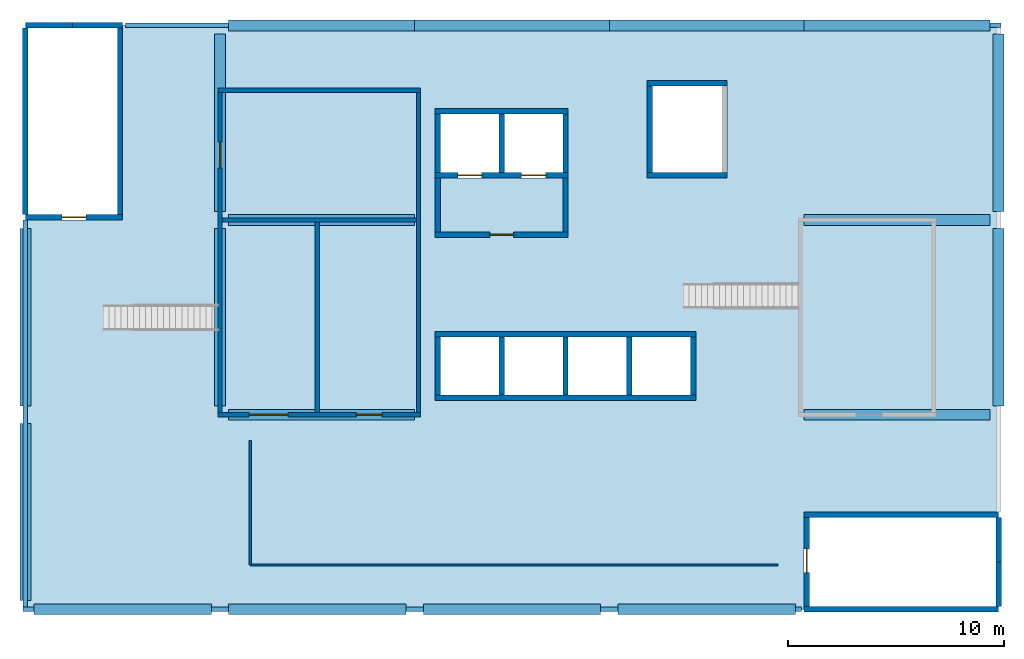
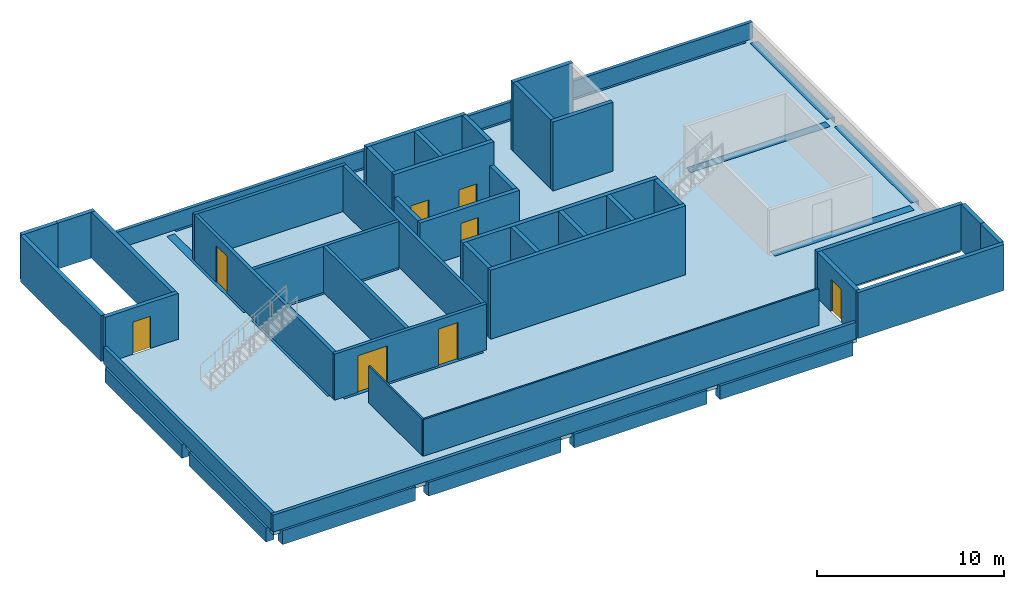
# One storey, part 1 of 3: 39 walls, 18 beams, 8 doors, 1 slab, 8 openings.
"""IFC4 building model written with IfcOpenShell, lengths in metres."""

from ifc_helpers import new_model, si_unit, direction, frame, frame_2d, origin, origin_2d, place, context, subcontext, project, spatial, polyline, rectangle, outline, extrude, material, layer, layer_set, material_profile, profile_set, type_object, element, fill, save


model = new_model("IFC4")

# Units and contexts
model_context = context("Model", 3, precision=1e-05, world=origin(), true_north=direction((0.0, 1.0)))
body_context = subcontext(model_context, "Body", "Model", "MODEL_VIEW")
ifc_project = project(units=[si_unit("LENGTHUNIT", "METRE"), si_unit("AREAUNIT", "SQUARE_METRE"), si_unit("VOLUMEUNIT", "CUBIC_METRE"), si_unit("PLANEANGLEUNIT", "RADIAN"), si_unit("MASSUNIT", "GRAM", prefix="KILO")], contexts=[model_context])

# Site, building, storey
site_placement = place(None, origin())
site = spatial("IfcSite", under=ifc_project, at=site_placement, CompositionType="ELEMENT")
building_placement = place(site_placement, origin())
building = spatial("IfcBuilding", under=site, at=building_placement, Name="Guidao Yard Department Store", CompositionType="ELEMENT")
storey_placement = place(building_placement, frame((0.0, 0.0, 37.5)))
storey = spatial("IfcBuildingStorey", under=building, at=storey_placement, Name="RF", CompositionType="ELEMENT", Elevation=37.5)

# Beams
ifc_material_1 = material(Name="Concrete C40", Category="concrete")
ifc_material_profile_1 = material_profile(ifc_material_1, rectangle(XDim=0.5, YDim=0.89990234375, at=origin_2d()), Name="Edge beam 500 x 900 C40")
ifc_profile_set_1 = profile_set([ifc_material_profile_1], Name="Concrete C40")
beam_type_1 = type_object("IfcBeamType", Name="Edge beam 500 x 900 C40", PredefinedType="BEAM", material=ifc_profile_set_1)
for number, where, z_axis, x_axis, name in (
    (1, (135.0, 9.39990234375, -0.449951171875), (0.0, 1.0, 0.0), (-1.0, 0.0, 0.0), "Beam FB13"),
    (2, (135.0, 18.39990234375, -0.449951171875), (0.0, 1.0, 0.0), (-1.0, 0.0, 0.0), "Beam FB14"),
):
    element("IfcBeam", number, at=place(storey_placement, frame(where, z_axis=z_axis, x_axis=x_axis)), inside=storey, type_object=beam_type_1, Name=name, PredefinedType="BEAM", context=body_context, shape_type="SweptSolid", body=[
        extrude(rectangle(XDim=0.5, YDim=0.89990234375, at=origin_2d()), origin(), (0.0, 0.0, 1.0), 8.2001953125),
    ])
for number, where, z_axis, x_axis, name in (
    (3, (135.39990234375, 9.0, -0.449951171875), (1.0, 0.0, 0.0), (0.0, 1.0, 0.0), "Beam FB15"),
    (4, (162.0, 9.0, -0.449951171875), (1.0, 0.0, 0.0), (0.0, 1.0, 0.0), "Beam FB16"),
    (5, (135.39990234375, 18.0, -0.449951171875), (1.0, 0.0, 0.0), (0.0, 1.0, 0.0), "Beam FB17"),
    (6, (162.0, 18.0, -0.449951171875), (1.0, 0.0, 0.0), (0.0, 1.0, 0.0), "Beam FB18"),
):
    element("IfcBeam", number, at=place(storey_placement, frame(where, z_axis=z_axis, x_axis=x_axis)), inside=storey, type_object=beam_type_1, Name=name, PredefinedType="BEAM", context=body_context, shape_type="SweptSolid", body=[
        extrude(rectangle(XDim=0.5, YDim=0.89990234375, at=origin_2d()), origin(), (0.0, 0.0, 1.0), 8.60009765625),
    ])
ifc_material_2 = material(Name="Concrete C40", Category="concrete")
ifc_material_profile_2 = material_profile(ifc_material_2, rectangle(XDim=0.5, YDim=0.89990234375, at=origin_2d()), Name="Spandrel beam 500 x 900 C40")
ifc_profile_set_2 = profile_set([ifc_material_profile_2], Name="Concrete C40")
beam_type_2 = type_object("IfcBeamType", Name="Spandrel beam 500 x 900 C40", PredefinedType="SPANDREL", material=ifc_profile_set_2)
for number, where, z_axis, x_axis, name in (
    (7, (126.39990234375, 0.0, -0.449951171875), (1.0, 0.0, 0.0), (0.0, 1.0, 0.0), "Beam FB01"),
    (8, (135.39990234375, 0.0, -0.449951171875), (1.0, 0.0, 0.0), (0.0, 1.0, 0.0), "Beam FB02"),
    (9, (144.39990234375, 0.0, -0.449951171875), (1.0, 0.0, 0.0), (0.0, 1.0, 0.0), "Beam FB03"),
    (10, (153.39990234375, 0.0, -0.449951171875), (1.0, 0.0, 0.0), (0.0, 1.0, 0.0), "Beam FB04"),
    (11, (126.0, 0.39990234375, -0.449951171875), (0.0, 1.0, 0.0), (-1.0, 0.0, 0.0), "Beam FB05"),
    (12, (126.0, 9.39990234375, -0.449951171875), (0.0, 1.0, 0.0), (-1.0, 0.0, 0.0), "Beam FB06"),
):
    element("IfcBeam", number, at=place(storey_placement, frame(where, z_axis=z_axis, x_axis=x_axis)), inside=storey, type_object=beam_type_2, Name=name, PredefinedType="SPANDREL", context=body_context, shape_type="SweptSolid", body=[
        extrude(rectangle(XDim=0.5, YDim=0.89990234375, at=origin_2d()), origin(), (0.0, 0.0, 1.0), 8.2001953125),
    ])
beam_1_placement = place(storey_placement, frame((135.39990234375, 27.0, -0.449951171875), z_axis=(1.0, 0.0, 0.0), x_axis=(0.0, 1.0, 0.0)))
element("IfcBeam", 13, at=beam_1_placement, inside=storey, type_object=beam_type_2, Name="Beam FB07", PredefinedType="SPANDREL", context=body_context, shape_type="SweptSolid", body=[
    extrude(rectangle(XDim=0.5, YDim=0.89990234375, at=origin_2d()), origin(), (0.0, 0.0, 1.0), 8.60009765625),
])
for number, where, z_axis, x_axis, name in (
    (14, (144.0, 27.0, -0.449951171875), (1.0, 0.0, 0.0), (0.0, 1.0, 0.0), "Beam FB08"),
    (15, (153.0, 27.0, -0.449951171875), (1.0, 0.0, 0.0), (0.0, 1.0, 0.0), "Beam FB09"),
):
    element("IfcBeam", number, at=place(storey_placement, frame(where, z_axis=z_axis, x_axis=x_axis)), inside=storey, type_object=beam_type_2, Name=name, PredefinedType="SPANDREL", context=body_context, shape_type="SweptSolid", body=[
        extrude(rectangle(XDim=0.5, YDim=0.89990234375, at=origin_2d()), origin(), (0.0, 0.0, 1.0), 9.0),
    ])
beam_2_placement = place(storey_placement, frame((162.0, 27.0, -0.449951171875), z_axis=(1.0, 0.0, 0.0), x_axis=(0.0, 1.0, 0.0)))
element("IfcBeam", 16, at=beam_2_placement, inside=storey, type_object=beam_type_2, Name="Beam FB10", PredefinedType="SPANDREL", context=body_context, shape_type="SweptSolid", body=[
    extrude(rectangle(XDim=0.5, YDim=0.89990234375, at=origin_2d()), origin(), (0.0, 0.0, 1.0), 8.60009765625),
])
for number, where, z_axis, x_axis, name in (
    (17, (171.0, 9.39990234375, -0.449951171875), (0.0, 1.0, 0.0), (-1.0, 0.0, 0.0), "Beam FB11"),
    (18, (171.0, 18.39990234375, -0.449951171875), (0.0, 1.0, 0.0), (-1.0, 0.0, 0.0), "Beam FB12"),
):
    element("IfcBeam", number, at=place(storey_placement, frame(where, z_axis=z_axis, x_axis=x_axis)), inside=storey, type_object=beam_type_2, Name=name, PredefinedType="SPANDREL", context=body_context, shape_type="SweptSolid", body=[
        extrude(rectangle(XDim=0.5, YDim=0.89990234375, at=origin_2d()), origin(), (0.0, 0.0, 1.0), 8.2001953125),
    ])

# Slab
ifc_material_3 = material(Name="Concrete C35", Category="concrete")
ifc_layer_1 = layer(ifc_material_3, 0.300048828125)
ifc_layer_set_1 = layer_set([ifc_layer_1], Name="Roof slab 300 C35")
slab_type = type_object("IfcSlabType", Name="Roof slab 300 C35", PredefinedType="ROOF", material=ifc_layer_set_1)
slab_placement = place(storey_placement, frame((0.0, 0.0, -0.300048828125)))
element("IfcSlab", 19, at=slab_placement, inside=storey, type_object=slab_type, Name="Slab ROOF-O", PredefinedType="ROOF", context=body_context, shape_type="SweptSolid", body=[
    extrude(outline(polyline([(162.0, 0.0), (126.0, 0.0), (126.0, 18.0), (130.5, 18.0), (130.5, 27.0), (171.0, 27.0), (171.0, 4.5), (162.0, 4.5), (162.0, 0.0)]), holes=[polyline([(153.800048828125, 9.64990234375), (154.050048828125, 9.64990234375), (157.0, 9.64990234375), (157.0, 12.85009765625), (154.050048828125, 12.85009765625), (153.800048828125, 12.85009765625), (151.10009765625, 12.85009765625), (150.85009765625, 12.85009765625), (148.14990234375, 12.85009765625), (147.89990234375, 12.85009765625), (144.949951171875, 12.85009765625), (144.949951171875, 9.64990234375), (147.89990234375, 9.64990234375), (148.14990234375, 9.64990234375), (150.85009765625, 9.64990234375), (151.10009765625, 9.64990234375), (153.800048828125, 9.64990234375)]), polyline([(144.949951171875, 19.949951171875), (147.89990234375, 19.949951171875), (148.14990234375, 19.949951171875), (151.10009765625, 19.949951171875), (151.10009765625, 23.14990234375), (148.14990234375, 23.14990234375), (147.89990234375, 23.14990234375), (144.949951171875, 23.14990234375), (144.949951171875, 19.949951171875)]), polyline([(154.75, 24.449951171875), (154.75, 19.949951171875), (158.449951171875, 19.949951171875), (158.449951171875, 24.449951171875), (154.75, 24.449951171875)])]), origin(), (0.0, 0.0, 1.0), 0.300048828125),
])

# Walls
ifc_material_4 = material(Name="Concrete C30", Category="concrete")
ifc_layer_2 = layer(ifc_material_4, 0.199951171875)
ifc_layer_set_2 = layer_set([ifc_layer_2], Name="Parapet wall 200 C30")
wall_type_1 = type_object("IfcWallType", Name="Parapet wall 200 C30", PredefinedType="PARAPET", material=ifc_layer_set_2)
wall_1_placement = place(storey_placement, frame((125.89990234375, 0.0, 0.0), z_axis=(0.0, 0.0, 1.0), x_axis=(1.0, 0.0, 0.0)))
element("IfcWall", 20, at=wall_1_placement, inside=storey, type_object=wall_type_1, Name="Parapet", PredefinedType="PARAPET", context=body_context, shape_type="SweptSolid", body=[
    extrude(rectangle(XDim=35.97509765625, YDim=0.199951171875, at=frame_2d((17.987548828125, 0.0))), origin(), (0.0, 0.0, 1.0), 1.10009765625),
])
wall_2_placement = place(storey_placement, frame((126.0, 0.10009765625, 0.0), z_axis=(0.0, 0.0, 1.0), x_axis=(0.0, 1.0, 0.0)))
element("IfcWall", 21, at=wall_2_placement, inside=storey, type_object=wall_type_1, Name="Parapet", PredefinedType="PARAPET", context=body_context, shape_type="SweptSolid", body=[
    extrude(rectangle(XDim=17.89990234375, YDim=0.199951171875, at=frame_2d((8.949951171875, 0.0))), origin(), (0.0, 0.0, 1.0), 1.10009765625),
])
wall_3_placement = place(storey_placement, frame((130.625, 27.0, 0.0), z_axis=(0.0, 0.0, 1.0), x_axis=(1.0, 0.0, 0.0)))
element("IfcWall", 22, at=wall_3_placement, inside=storey, type_object=wall_type_1, Name="Parapet", PredefinedType="PARAPET", context=body_context, shape_type="SweptSolid", body=[
    extrude(rectangle(XDim=40.47509765625, YDim=0.199951171875, at=frame_2d((20.237548828125, 0.0))), origin(), (0.0, 0.0, 1.0), 1.10009765625),
])
ifc_material_5 = material(Name="Galvanised steel Q355 perforated plate", Category="steel")
ifc_layer_3 = layer(ifc_material_5, 0.10009765625)
ifc_layer_set_3 = layer_set([ifc_layer_3], Name="Plant screen wall PS2 galvanised perforated steel Q355 100")
wall_type_2 = type_object("IfcWallType", Name="Plant screen wall PS2 galvanised perforated steel Q355 100", PredefinedType="STANDARD", material=ifc_layer_set_3)
wall_4_placement = place(storey_placement, frame((136.39990234375, 2.050048828125, 0.0), z_axis=(0.0, 0.0, 1.0), x_axis=(1.0, 0.0, 0.0)))
element("IfcWall", 23, at=wall_4_placement, inside=storey, type_object=wall_type_2, Name="Plant screen", PredefinedType="STANDARD", context=body_context, shape_type="SweptSolid", body=[
    extrude(rectangle(XDim=24.400146484375, YDim=0.10009765625, at=frame_2d((12.2001953125, 0.0))), origin(), (0.0, 0.0, 1.0), 2.39990234375),
])
wall_5_placement = place(storey_placement, frame((136.39990234375, 2.050048828125, 0.0), z_axis=(0.0, 0.0, 1.0), x_axis=(0.0, 1.0, 0.0)))
element("IfcWall", 24, at=wall_5_placement, inside=storey, type_object=wall_type_2, Name="Plant screen", PredefinedType="STANDARD", context=body_context, shape_type="SweptSolid", body=[
    extrude(rectangle(XDim=5.75, YDim=0.10009765625, at=frame_2d((2.875, 0.0))), origin(), (0.0, 0.0, 1.0), 2.39990234375),
])

# Wall, openings, doors
ifc_material_6 = material(Name="Concrete C35", Category="concrete")
ifc_layer_4 = layer(ifc_material_6, 0.199951171875)
ifc_layer_set_4 = layer_set([ifc_layer_4], Name="Roof room wall 200 RC C35")
wall_type_3 = type_object("IfcWallType", Name="Roof room wall 200 RC C35", PredefinedType="SOLIDWALL", material=ifc_layer_set_4)
wall_6_placement = place(storey_placement, frame((134.89990234375, 9.0, 0.0), z_axis=(0.0, 0.0, 1.0), x_axis=(1.0, 0.0, 0.0)))
wall_6 = element("IfcWall", 25, at=wall_6_placement, inside=storey, type_object=wall_type_3, Name="pt.wall.RF.0001", PredefinedType="SOLIDWALL", context=body_context, shape_type="SweptSolid", body=[
    extrude(rectangle(XDim=9.375, YDim=0.199951171875, at=frame_2d((4.6875, 0.0))), origin(), (0.0, 0.0, 1.0), 3.0),
])
opening_1_placement = place(wall_6_placement, frame((3.25, 0.0, 0.0), z_axis=(0.0, 0.0, 1.0), x_axis=(-1.0, 0.0, 0.0)))
opening_1 = element("IfcOpeningElement", 26, at=opening_1_placement, cuts=wall_6, Name="Opening RF-400", PredefinedType="OPENING", context=body_context, shape_type="SweptSolid", body=[
    extrude(rectangle(XDim=1.800048828125, YDim=2.39990234375, at=frame_2d((0.89990234375, 1.199951171875))), frame((0.0, 0.10986328125, 0.0), z_axis=(0.0, -1.0, 0.0), x_axis=(1.0, 0.0, 0.0)), (0.0, 0.0, 1.0), 0.219970703125),
])
opening_2_placement = place(wall_6_placement, frame((7.599853515625, 0.0, 0.0), z_axis=(0.0, 0.0, 1.0), x_axis=(-1.0, 0.0, 0.0)))
opening_2 = element("IfcOpeningElement", 27, at=opening_2_placement, cuts=wall_6, Name="Opening RF-401", PredefinedType="OPENING", context=body_context, shape_type="SweptSolid", body=[
    extrude(rectangle(XDim=1.199951171875, YDim=2.39990234375, at=frame_2d((0.60009765625, 1.199951171875))), frame((0.0, 0.10986328125, 0.0), z_axis=(0.0, -1.0, 0.0), x_axis=(1.0, 0.0, 0.0)), (0.0, 0.0, 1.0), 0.219970703125),
])
ifc_material_7 = material(Name="Timber door leaf with Steel Q235 frame", Category="steel")
door_type_1 = type_object("IfcDoorType", Name="Door 1200 x 2400 FD60 Single Leaf", OperationType="SINGLE_SWING_LEFT", PredefinedType="DOOR", material=ifc_material_7)
door_1_placement = place(opening_2_placement, origin())
door_1 = element("IfcDoor", 28, at=door_1_placement, inside=storey, type_object=door_type_1, Name="Door RF-401", OperationType="SINGLE_SWING_LEFT", OverallHeight=2.39990234375, OverallWidth=1.199951171875, PredefinedType="DOOR", context=body_context, shape_type="SweptSolid", body=[
    extrude(rectangle(XDim=1.199951171875, YDim=2.39990234375, at=frame_2d((0.60009765625, 1.199951171875))), frame((0.0, 0.02490234375, 0.0), z_axis=(0.0, -1.0, 0.0), x_axis=(1.0, 0.0, 0.0)), (0.0, 0.0, 1.0), 0.050048828125),
])
fill(opening_2, door_1)
ifc_material_8 = material(Name="Timber door leaf with Steel Q235 frame", Category="steel")
door_type_2 = type_object("IfcDoorType", Name="Door 1800 x 2400 FD60 Double Leaf", OperationType="DOUBLE_DOOR_SINGLE_SWING", PredefinedType="DOOR", material=ifc_material_8)
door_2_placement = place(opening_1_placement, origin())
door_2 = element("IfcDoor", 29, at=door_2_placement, inside=storey, type_object=door_type_2, Name="Door RF-400", OperationType="DOUBLE_DOOR_SINGLE_SWING", OverallHeight=2.39990234375, OverallWidth=1.800048828125, PredefinedType="DOOR", context=body_context, shape_type="SweptSolid", body=[
    extrude(rectangle(XDim=1.800048828125, YDim=2.39990234375, at=frame_2d((0.89990234375, 1.199951171875))), frame((0.0, 0.02490234375, 0.0), z_axis=(0.0, -1.0, 0.0), x_axis=(1.0, 0.0, 0.0)), (0.0, 0.0, 1.0), 0.050048828125),
])
fill(opening_1, door_2)

# Walls
wall_7_placement = place(storey_placement, frame((135.10009765625, 18.0, 0.0), z_axis=(0.0, 0.0, 1.0), x_axis=(1.0, 0.0, 0.0)))
element("IfcWall", 30, at=wall_7_placement, inside=storey, type_object=wall_type_3, Name="pt.wall.RF.0003", PredefinedType="SOLIDWALL", context=body_context, shape_type="SweptSolid", body=[
    extrude(rectangle(XDim=8.974853515625, YDim=0.199951171875, at=frame_2d((4.4873046875, 0.0))), origin(), (0.0, 0.0, 1.0), 3.0),
])
wall_8_placement = place(storey_placement, frame((134.89990234375, 24.0, 0.0), z_axis=(0.0, 0.0, 1.0), x_axis=(1.0, 0.0, 0.0)))
element("IfcWall", 31, at=wall_8_placement, inside=storey, type_object=wall_type_3, Name="pt.wall.RF.0005", PredefinedType="SOLIDWALL", context=body_context, shape_type="SweptSolid", body=[
    extrude(rectangle(XDim=9.375, YDim=0.199951171875, at=frame_2d((4.6875, 0.0))), origin(), (0.0, 0.0, 1.0), 3.0),
])

# Wall, opening, door
wall_9_placement = place(storey_placement, frame((135.0, 9.10009765625, 0.0), z_axis=(0.0, 0.0, 1.0), x_axis=(0.0, 1.0, 0.0)))
wall_9 = element("IfcWall", 32, at=wall_9_placement, inside=storey, type_object=wall_type_3, Name="pt.wall.RF.0006", PredefinedType="SOLIDWALL", context=body_context, shape_type="SweptSolid", body=[
    extrude(rectangle(XDim=14.7998046875, YDim=0.199951171875, at=frame_2d((7.39990234375, 0.0))), origin(), (0.0, 0.0, 1.0), 3.0),
])
opening_3_placement = place(wall_9_placement, frame((11.300048828125, 0.0, 0.0)))
opening_3 = element("IfcOpeningElement", 33, at=opening_3_placement, cuts=wall_9, Name="Opening RF-402", PredefinedType="OPENING", context=body_context, shape_type="SweptSolid", body=[
    extrude(rectangle(XDim=1.199951171875, YDim=2.39990234375, at=frame_2d((0.60009765625, 1.199951171875))), frame((0.0, 0.10986328125, 0.0), z_axis=(0.0, -1.0, 0.0), x_axis=(1.0, 0.0, 0.0)), (0.0, 0.0, 1.0), 0.219970703125),
])
door_3_placement = place(opening_3_placement, origin())
door_3 = element("IfcDoor", 34, at=door_3_placement, inside=storey, type_object=door_type_1, Name="Door RF-402", OperationType="SINGLE_SWING_RIGHT", OverallHeight=2.39990234375, OverallWidth=1.199951171875, PredefinedType="DOOR", context=body_context, shape_type="SweptSolid", body=[
    extrude(rectangle(XDim=1.199951171875, YDim=2.39990234375, at=frame_2d((0.60009765625, 1.199951171875))), frame((0.0, 0.02490234375, 0.0), z_axis=(0.0, -1.0, 0.0), x_axis=(1.0, 0.0, 0.0)), (0.0, 0.0, 1.0), 0.050048828125),
])
fill(opening_3, door_3)

# Walls
wall_10_placement = place(storey_placement, frame((139.5, 9.10009765625, 0.0), z_axis=(0.0, 0.0, 1.0), x_axis=(0.0, 1.0, 0.0)))
element("IfcWall", 35, at=wall_10_placement, inside=storey, type_object=wall_type_3, Name="pt.wall.RF.0007", PredefinedType="SOLIDWALL", context=body_context, shape_type="SweptSolid", body=[
    extrude(rectangle(XDim=8.7998046875, YDim=0.199951171875, at=frame_2d((4.39990234375, 0.0))), origin(), (0.0, 0.0, 1.0), 3.0),
])
wall_11_placement = place(storey_placement, frame((144.175048828125, 9.10009765625, 0.0), z_axis=(0.0, 0.0, 1.0), x_axis=(0.0, 1.0, 0.0)))
element("IfcWall", 36, at=wall_11_placement, inside=storey, type_object=wall_type_3, Name="pt.wall.RF.0008", PredefinedType="SOLIDWALL", context=body_context, shape_type="SweptSolid", body=[
    extrude(rectangle(XDim=14.7998046875, YDim=0.199951171875, at=frame_2d((7.39990234375, 0.0))), origin(), (0.0, 0.0, 1.0), 3.0),
])
ifc_material_9 = material(Name="Concrete C40", Category="concrete")
ifc_layer_5 = layer(ifc_material_9, 0.25)
ifc_layer_set_5 = layer_set([ifc_layer_5], Name="Wall RC 250 C40 stair and shaft")
wall_type_4 = type_object("IfcWallType", Name="Wall RC 250 C40 stair and shaft", PredefinedType="SHEAR", material=ifc_layer_set_5)
for number, where, z_axis, x_axis, name in (
    (37, (162.0, 0.0, 0.0), (0.0, 0.0, 1.0), (1.0, 0.0, 0.0), "Stair wall SO2"),
    (38, (162.0, 4.375, 0.0), (0.0, 0.0, 1.0), (1.0, 0.0, 0.0), "Stair wall SO2"),
):
    element("IfcWall", number, at=place(storey_placement, frame(where, z_axis=z_axis, x_axis=x_axis)), inside=storey, type_object=wall_type_4, Name=name, PredefinedType="SHEAR", context=body_context, shape_type="SweptSolid", body=[
        extrude(rectangle(XDim=9.0, YDim=0.25, at=frame_2d((4.5, 0.0))), origin(), (0.0, 0.0, 1.0), 3.0),
    ])

# Wall, opening, door
wall_12_placement = place(storey_placement, frame((162.125, 0.125, 0.0), z_axis=(0.0, 0.0, 1.0), x_axis=(0.0, 1.0, 0.0)))
wall_12 = element("IfcWall", 39, at=wall_12_placement, inside=storey, type_object=wall_type_4, Name="Stair wall SO2", PredefinedType="SHEAR", context=body_context, shape_type="SweptSolid", body=[
    extrude(rectangle(XDim=4.125, YDim=0.25, at=frame_2d((2.0625, 0.0))), origin(), (0.0, 0.0, 1.0), 3.0),
])
opening_4_placement = place(wall_12_placement, frame((1.574951171875, 0.0, 0.0)))
opening_4 = element("IfcOpeningElement", 40, at=opening_4_placement, cuts=wall_12, Name="Opening RF-800", PredefinedType="OPENING", context=body_context, shape_type="SweptSolid", body=[
    extrude(rectangle(XDim=1.10009765625, YDim=2.10009765625, at=frame_2d((0.550048828125, 1.050048828125))), frame((0.0, 0.135009765625, 0.0), z_axis=(0.0, -1.0, 0.0), x_axis=(1.0, 0.0, 0.0)), (0.0, 0.0, 1.0), 0.27001953125),
])
ifc_material_10 = material(Name="Steel Q235", Category="steel")
door_type_3 = type_object("IfcDoorType", Name="Door fire-resisting 1100 x 2100 FD60", OperationType="SINGLE_SWING_LEFT", PredefinedType="DOOR", material=ifc_material_10)
door_4_placement = place(opening_4_placement, origin())
door_4 = element("IfcDoor", 41, at=door_4_placement, inside=storey, type_object=door_type_3, Name="Stair O2 door RF", OperationType="SINGLE_SWING_RIGHT", OverallHeight=2.10009765625, OverallWidth=1.10009765625, PredefinedType="DOOR", context=body_context, shape_type="SweptSolid", body=[
    extrude(rectangle(XDim=1.10009765625, YDim=2.10009765625, at=frame_2d((0.550048828125, 1.050048828125))), frame((0.0, 0.02490234375, 0.0), z_axis=(0.0, -1.0, 0.0), x_axis=(1.0, 0.0, 0.0)), (0.0, 0.0, 1.0), 0.050048828125),
])
fill(opening_4, door_4)

# Walls
wall_13_placement = place(storey_placement, frame((171.0, 0.125, 0.0), z_axis=(0.0, 0.0, 1.0), x_axis=(0.0, 1.0, 0.0)))
element("IfcWall", 42, at=wall_13_placement, inside=storey, type_object=wall_type_4, Name="Stair wall SO2", PredefinedType="SHEAR", context=body_context, shape_type="SweptSolid", body=[
    extrude(rectangle(XDim=2.06298828125, YDim=0.25, at=frame_2d((1.031494140625, 0.0))), origin(), (0.0, 0.0, 1.0), 3.0),
])
wall_14_placement = place(storey_placement, frame((171.0, 2.18798828125, 0.0), z_axis=(0.0, 0.0, 1.0), x_axis=(0.0, 1.0, 0.0)))
element("IfcWall", 43, at=wall_14_placement, inside=storey, type_object=wall_type_4, Name="Stair wall SO2", PredefinedType="SHEAR", context=body_context, shape_type="SweptSolid", body=[
    extrude(rectangle(XDim=2.06201171875, YDim=0.25, at=frame_2d((1.031005859375, 0.0))), origin(), (0.0, 0.0, 1.0), 3.0),
])

# Wall, opening, door
wall_15_placement = place(storey_placement, frame((126.0, 18.125, 0.0), z_axis=(0.0, 0.0, 1.0), x_axis=(1.0, 0.0, 0.0)))
wall_15 = element("IfcWall", 44, at=wall_15_placement, inside=storey, type_object=wall_type_4, Name="Stair wall SO3", PredefinedType="SHEAR", context=body_context, shape_type="SweptSolid", body=[
    extrude(rectangle(XDim=4.5, YDim=0.25, at=frame_2d((2.25, 0.0))), origin(), (0.0, 0.0, 1.0), 3.0),
])
opening_5_placement = place(wall_15_placement, frame((2.800048828125, 0.0, 0.0), z_axis=(0.0, 0.0, 1.0), x_axis=(-1.0, 0.0, 0.0)))
opening_5 = element("IfcOpeningElement", 45, at=opening_5_placement, cuts=wall_15, Name="Opening RF-801", PredefinedType="OPENING", context=body_context, shape_type="SweptSolid", body=[
    extrude(rectangle(XDim=1.10009765625, YDim=2.10009765625, at=frame_2d((0.550048828125, 1.050048828125))), frame((0.0, 0.135009765625, 0.0), z_axis=(0.0, -1.0, 0.0), x_axis=(1.0, 0.0, 0.0)), (0.0, 0.0, 1.0), 0.27001953125),
])
door_5_placement = place(opening_5_placement, origin())
door_5 = element("IfcDoor", 46, at=door_5_placement, inside=storey, type_object=door_type_3, Name="Stair O3 door RF", OperationType="SINGLE_SWING_LEFT", OverallHeight=2.10009765625, OverallWidth=1.10009765625, PredefinedType="DOOR", context=body_context, shape_type="SweptSolid", body=[
    extrude(rectangle(XDim=1.10009765625, YDim=2.10009765625, at=frame_2d((0.550048828125, 1.050048828125))), frame((0.0, 0.02490234375, 0.0), z_axis=(0.0, -1.0, 0.0), x_axis=(1.0, 0.0, 0.0)), (0.0, 0.0, 1.0), 0.050048828125),
])
fill(opening_5, door_5)

# Walls
wall_16_placement = place(storey_placement, frame((126.0, 27.0, 0.0), z_axis=(0.0, 0.0, 1.0), x_axis=(1.0, 0.0, 0.0)))
element("IfcWall", 47, at=wall_16_placement, inside=storey, type_object=wall_type_4, Name="Stair wall SO3", PredefinedType="SHEAR", context=body_context, shape_type="SweptSolid", body=[
    extrude(rectangle(XDim=2.18798828125, YDim=0.25, at=frame_2d((1.093994140625, 0.0))), origin(), (0.0, 0.0, 1.0), 3.0),
])
wall_17_placement = place(storey_placement, frame((128.18798828125, 27.0, 0.0), z_axis=(0.0, 0.0, 1.0), x_axis=(1.0, 0.0, 0.0)))
element("IfcWall", 48, at=wall_17_placement, inside=storey, type_object=wall_type_4, Name="Stair wall SO3", PredefinedType="SHEAR", context=body_context, shape_type="SweptSolid", body=[
    extrude(rectangle(XDim=2.31201171875, YDim=0.25, at=frame_2d((1.156005859375, 0.0))), origin(), (0.0, 0.0, 1.0), 3.0),
])
for number, where, z_axis, x_axis, name in (
    (49, (126.0, 18.25, 0.0), (0.0, 0.0, 1.0), (0.0, 1.0, 0.0), "Stair wall SO3"),
    (50, (130.375, 18.25, 0.0), (0.0, 0.0, 1.0), (0.0, 1.0, 0.0), "Stair wall SO3"),
):
    element("IfcWall", number, at=place(storey_placement, frame(where, z_axis=z_axis, x_axis=x_axis)), inside=storey, type_object=wall_type_4, Name=name, PredefinedType="SHEAR", context=body_context, shape_type="SweptSolid", body=[
        extrude(rectangle(XDim=8.625, YDim=0.25, at=frame_2d((4.3125, 0.0))), origin(), (0.0, 0.0, 1.0), 3.0),
    ])
for number, where, z_axis, x_axis, name in (
    (51, (144.949951171875, 12.72509765625, 0.0), (0.0, 0.0, 1.0), (1.0, 0.0, 0.0), "Lift shaft wall OL1 to OL4"),
    (52, (144.949951171875, 9.77490234375, 0.0), (0.0, 0.0, 1.0), (1.0, 0.0, 0.0), "Lift shaft wall OL1 to OL4"),
):
    element("IfcWall", number, at=place(storey_placement, frame(where, z_axis=z_axis, x_axis=x_axis)), inside=storey, type_object=wall_type_4, Name=name, PredefinedType="SHEAR", context=body_context, shape_type="SweptSolid", body=[
        extrude(rectangle(XDim=12.050048828125, YDim=0.25, at=frame_2d((6.02490234375, 0.0))), origin(), (0.0, 0.0, 1.0), 4.5),
    ])
for number, where, z_axis, x_axis, name in (
    (53, (145.074951171875, 9.89990234375, 0.0), (0.0, 0.0, 1.0), (0.0, 1.0, 0.0), "Lift shaft wall OL1 to OL4"),
    (54, (148.02490234375, 9.89990234375, 0.0), (0.0, 0.0, 1.0), (0.0, 1.0, 0.0), "Lift shaft wall OL1 to OL4"),
    (55, (150.97509765625, 9.89990234375, 0.0), (0.0, 0.0, 1.0), (0.0, 1.0, 0.0), "Lift shaft wall OL1 to OL4"),
    (56, (153.925048828125, 9.89990234375, 0.0), (0.0, 0.0, 1.0), (0.0, 1.0, 0.0), "Lift shaft wall OL1 to OL4"),
    (57, (156.875, 9.89990234375, 0.0), (0.0, 0.0, 1.0), (0.0, 1.0, 0.0), "Lift shaft wall OL1 to OL4"),
):
    element("IfcWall", number, at=place(storey_placement, frame(where, z_axis=z_axis, x_axis=x_axis)), inside=storey, type_object=wall_type_4, Name=name, PredefinedType="SHEAR", context=body_context, shape_type="SweptSolid", body=[
        extrude(rectangle(XDim=2.7001953125, YDim=0.25, at=frame_2d((1.35009765625, 0.0))), origin(), (0.0, 0.0, 1.0), 4.5),
    ])

# Wall, openings, doors
wall_18_placement = place(storey_placement, frame((144.949951171875, 20.074951171875, 0.0), z_axis=(0.0, 0.0, 1.0), x_axis=(1.0, 0.0, 0.0)))
wall_18 = element("IfcWall", 58, at=wall_18_placement, inside=storey, type_object=wall_type_4, Name="Lift shaft wall OF1 to OF2", PredefinedType="SHEAR", context=body_context, shape_type="SweptSolid", body=[
    extrude(rectangle(XDim=6.150146484375, YDim=0.25, at=frame_2d((3.0751953125, 0.0))), origin(), (0.0, 0.0, 1.0), 4.5),
])
opening_6_placement = place(wall_18_placement, frame((1.050048828125, 0.0, 0.0)))
opening_6 = element("IfcOpeningElement", 59, at=opening_6_placement, cuts=wall_18, Name="Opening LD-OF1-RF", PredefinedType="OPENING", context=body_context, shape_type="SweptSolid", body=[
    extrude(rectangle(XDim=1.10009765625, YDim=2.10009765625, at=frame_2d((0.550048828125, 1.050048828125))), frame((0.0, 0.135009765625, 0.0), z_axis=(0.0, -1.0, 0.0), x_axis=(1.0, 0.0, 0.0)), (0.0, 0.0, 1.0), 0.27001953125),
])
opening_7_placement = place(wall_18_placement, frame((4.0, 0.0, 0.0)))
opening_7 = element("IfcOpeningElement", 60, at=opening_7_placement, cuts=wall_18, Name="Opening LD-OF2-RF", PredefinedType="OPENING", context=body_context, shape_type="SweptSolid", body=[
    extrude(rectangle(XDim=1.10009765625, YDim=2.10009765625, at=frame_2d((0.550048828125, 1.050048828125))), frame((0.0, 0.135009765625, 0.0), z_axis=(0.0, -1.0, 0.0), x_axis=(1.0, 0.0, 0.0)), (0.0, 0.0, 1.0), 0.27001953125),
])
ifc_material_11 = material(Name="Stainless steel 06Cr19Ni10", Category="steel")
door_type_4 = type_object("IfcDoorType", Name="Lift landing door fire-resisting sliding 1100 x 2100", OperationType="DOUBLE_DOOR_SLIDING", PredefinedType="DOOR", material=ifc_material_11)
door_6_placement = place(opening_6_placement, origin())
door_6 = element("IfcDoor", 61, at=door_6_placement, inside=storey, type_object=door_type_4, Name="Lift landing door OF1 RF", OperationType="DOUBLE_DOOR_SLIDING", OverallHeight=2.10009765625, OverallWidth=1.10009765625, PredefinedType="DOOR", context=body_context, shape_type="SweptSolid", body=[
    extrude(rectangle(XDim=1.10009765625, YDim=2.10009765625, at=frame_2d((0.550048828125, 1.050048828125))), frame((0.0, 0.02490234375, 0.0), z_axis=(0.0, -1.0, 0.0), x_axis=(1.0, 0.0, 0.0)), (0.0, 0.0, 1.0), 0.050048828125),
])
fill(opening_6, door_6)
door_7_placement = place(opening_7_placement, origin())
door_7 = element("IfcDoor", 62, at=door_7_placement, inside=storey, type_object=door_type_4, Name="Lift landing door OF2 RF", OperationType="DOUBLE_DOOR_SLIDING", OverallHeight=2.10009765625, OverallWidth=1.10009765625, PredefinedType="DOOR", context=body_context, shape_type="SweptSolid", body=[
    extrude(rectangle(XDim=1.10009765625, YDim=2.10009765625, at=frame_2d((0.550048828125, 1.050048828125))), frame((0.0, 0.02490234375, 0.0), z_axis=(0.0, -1.0, 0.0), x_axis=(1.0, 0.0, 0.0)), (0.0, 0.0, 1.0), 0.050048828125),
])
fill(opening_7, door_7)

# Walls
wall_19_placement = place(storey_placement, frame((144.949951171875, 23.02490234375, 0.0), z_axis=(0.0, 0.0, 1.0), x_axis=(1.0, 0.0, 0.0)))
element("IfcWall", 63, at=wall_19_placement, inside=storey, type_object=wall_type_4, Name="Lift shaft wall OF1 to OF2", PredefinedType="SHEAR", context=body_context, shape_type="SweptSolid", body=[
    extrude(rectangle(XDim=6.150146484375, YDim=0.25, at=frame_2d((3.0751953125, 0.0))), origin(), (0.0, 0.0, 1.0), 4.5),
])
for number, where, z_axis, x_axis, name in (
    (64, (145.074951171875, 20.199951171875, 0.0), (0.0, 0.0, 1.0), (0.0, 1.0, 0.0), "Lift shaft wall OF1 to OF2"),
    (65, (148.02490234375, 20.199951171875, 0.0), (0.0, 0.0, 1.0), (0.0, 1.0, 0.0), "Lift shaft wall OF1 to OF2"),
    (66, (150.97509765625, 20.199951171875, 0.0), (0.0, 0.0, 1.0), (0.0, 1.0, 0.0), "Lift shaft wall OF1 to OF2"),
):
    element("IfcWall", number, at=place(storey_placement, frame(where, z_axis=z_axis, x_axis=x_axis)), inside=storey, type_object=wall_type_4, Name=name, PredefinedType="SHEAR", context=body_context, shape_type="SweptSolid", body=[
        extrude(rectangle(XDim=2.699951171875, YDim=0.25, at=frame_2d((1.35009765625, 0.0))), origin(), (0.0, 0.0, 1.0), 4.5),
    ])
for number, where, z_axis, x_axis, name in (
    (67, (154.75, 20.074951171875, 0.0), (0.0, 0.0, 1.0), (1.0, 0.0, 0.0), "Lift shaft wall OS1"),
    (68, (154.75, 24.324951171875, 0.0), (0.0, 0.0, 1.0), (1.0, 0.0, 0.0), "Lift shaft wall OS1"),
):
    element("IfcWall", number, at=place(storey_placement, frame(where, z_axis=z_axis, x_axis=x_axis)), inside=storey, type_object=wall_type_4, Name=name, PredefinedType="SHEAR", context=body_context, shape_type="SweptSolid", body=[
        extrude(rectangle(XDim=3.699951171875, YDim=0.25, at=frame_2d((1.85009765625, 0.0))), origin(), (0.0, 0.0, 1.0), 4.5),
    ])
wall_20_placement = place(storey_placement, frame((154.875, 20.199951171875, 0.0), z_axis=(0.0, 0.0, 1.0), x_axis=(0.0, 1.0, 0.0)))
element("IfcWall", 69, at=wall_20_placement, inside=storey, type_object=wall_type_4, Name="Lift shaft wall OS1", PredefinedType="SHEAR", context=body_context, shape_type="SweptSolid", body=[
    extrude(rectangle(XDim=4.0, YDim=0.25, at=frame_2d((2.0, 0.0))), origin(), (0.0, 0.0, 1.0), 4.5),
])

# Wall, opening, door
wall_21_placement = place(storey_placement, frame((144.949951171875, 17.324951171875, 0.0), z_axis=(0.0, 0.0, 1.0), x_axis=(1.0, 0.0, 0.0)))
wall_21 = element("IfcWall", 70, at=wall_21_placement, inside=storey, type_object=wall_type_4, Name="Roof lift lobby wall OF1 to OF2", PredefinedType="SHEAR", context=body_context, shape_type="SweptSolid", body=[
    extrude(rectangle(XDim=6.150146484375, YDim=0.25, at=frame_2d((3.0751953125, 0.0))), origin(), (0.0, 0.0, 1.0), 3.0),
])
opening_8_placement = place(wall_21_placement, frame((3.625, 0.0, 0.0), z_axis=(0.0, 0.0, 1.0), x_axis=(-1.0, 0.0, 0.0)))
opening_8 = element("IfcOpeningElement", 71, at=opening_8_placement, cuts=wall_21, Name="Opening RF-802", PredefinedType="OPENING", context=body_context, shape_type="SweptSolid", body=[
    extrude(rectangle(XDim=1.10009765625, YDim=2.10009765625, at=frame_2d((0.550048828125, 1.050048828125))), frame((0.0, 0.135009765625, 0.0), z_axis=(0.0, -1.0, 0.0), x_axis=(1.0, 0.0, 0.0)), (0.0, 0.0, 1.0), 0.27001953125),
])
door_8_placement = place(opening_8_placement, origin())
door_8 = element("IfcDoor", 72, at=door_8_placement, inside=storey, type_object=door_type_3, Name="Roof lift lobby door OF1 to OF2", OperationType="SINGLE_SWING_RIGHT", OverallHeight=2.10009765625, OverallWidth=1.10009765625, PredefinedType="DOOR", context=body_context, shape_type="SweptSolid", body=[
    extrude(rectangle(XDim=1.10009765625, YDim=2.10009765625, at=frame_2d((0.550048828125, 1.050048828125))), frame((0.0, 0.02490234375, 0.0), z_axis=(0.0, -1.0, 0.0), x_axis=(1.0, 0.0, 0.0)), (0.0, 0.0, 1.0), 0.050048828125),
])
fill(opening_8, door_8)

# Walls
for number, where, z_axis, x_axis, name in (
    (73, (145.074951171875, 17.449951171875, 0.0), (0.0, 0.0, 1.0), (0.0, 1.0, 0.0), "Roof lift lobby wall OF1 to OF2"),
    (74, (150.97509765625, 17.449951171875, 0.0), (0.0, 0.0, 1.0), (0.0, 1.0, 0.0), "Roof lift lobby wall OF1 to OF2"),
):
    element("IfcWall", number, at=place(storey_placement, frame(where, z_axis=z_axis, x_axis=x_axis)), inside=storey, type_object=wall_type_4, Name=name, PredefinedType="SHEAR", context=body_context, shape_type="SweptSolid", body=[
        extrude(rectangle(XDim=2.5, YDim=0.25, at=frame_2d((1.25, 0.0))), origin(), (0.0, 0.0, 1.0), 3.0),
    ])

save(model, "model.ifc")
